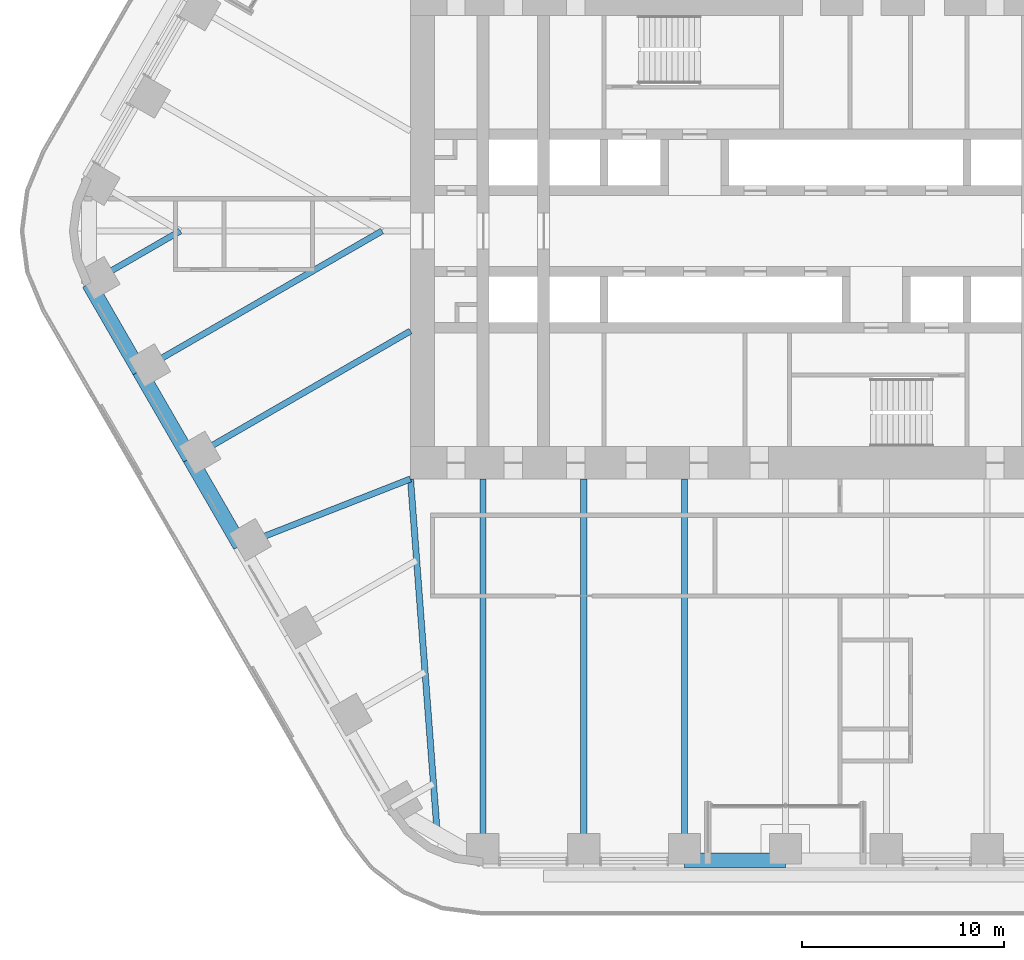
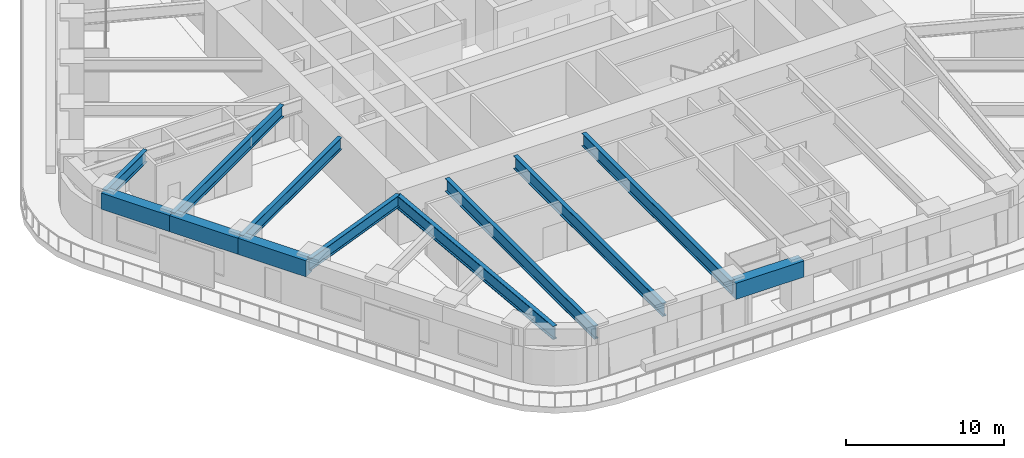
# One storey, part 3 of 24: 12 beams.
"""IFC4 building model written with IfcOpenShell, lengths in metres."""

from ifc_helpers import new_model, si_unit, direction, frame, origin, origin_2d, place, context, subcontext, project, spatial, rectangle, i_section, extrude, material, material_profile, profile_set, type_object, element, save


model = new_model("IFC4")

# Units and contexts
model_context = context("Model", 3, precision=1e-05, world=origin(), true_north=direction((0.0, 1.0)))
body_context = subcontext(model_context, "Body", "Model", "MODEL_VIEW")
ifc_project = project(units=[si_unit("LENGTHUNIT", "METRE"), si_unit("AREAUNIT", "SQUARE_METRE"), si_unit("VOLUMEUNIT", "CUBIC_METRE"), si_unit("PLANEANGLEUNIT", "RADIAN"), si_unit("MASSUNIT", "GRAM", prefix="KILO")], contexts=[model_context])

# Site, building, storey
site_placement = place(None, origin())
site = spatial("IfcSite", under=ifc_project, at=site_placement, CompositionType="ELEMENT")
building_placement = place(site_placement, origin())
building = spatial("IfcBuilding", under=site, at=building_placement, Name="Tarfa Lantern Tower", CompositionType="ELEMENT")
storey_placement = place(building_placement, frame((0.0, 0.0, 148.89990234375)))
storey = spatial("IfcBuildingStorey", under=building, at=storey_placement, Name="L33", CompositionType="ELEMENT", Elevation=148.89990234375)

# Beams
ifc_material_1 = material(Name="Concrete C80/95", Category="concrete")
ifc_material_profile_1 = material_profile(ifc_material_1, rectangle(XDim=0.75, YDim=1.25, at=origin_2d()), Name="RC 750x1250")
ifc_profile_set_1 = profile_set([ifc_material_profile_1], Name="Concrete C80/95")
beam_type_1 = type_object("IfcBeamType", Name="EB2 RC 750x1250", PredefinedType="SPANDREL", material=ifc_profile_set_1)
for number, where, z_axis, x_axis, name in (
    (1, (-34.54296875, -2.610107421875, 3.375), (0.500022324899, -0.866012514114, 0.0), (0.866012514114, 0.500022324899, 0.0), "Edge beam SW0"),
    (2, (-32.041015625, -6.943359375, 3.375), (0.500022324899, -0.866012514114, 0.0), (0.866012514114, 0.500022324899, 0.0), "Edge beam SW1"),
    (3, (-29.5390625, -11.276611328125, 3.375), (0.499964603504, -0.866045838996, 0.0), (0.866045838996, 0.499964603504, 0.0), "Edge beam SW2"),
    (4, (-5.003662109375, -31.219970703125, 3.375), (1.0, 0.0, 0.0), (0.0, 1.0, 0.0), "Edge beam S2"),
):
    element("IfcBeam", number, at=place(storey_placement, frame(where, z_axis=z_axis, x_axis=x_axis)), inside=storey, type_object=beam_type_1, Name=name, PredefinedType="SPANDREL", context=body_context, shape_type="SweptSolid", body=[
        extrude(rectangle(XDim=0.75, YDim=1.25, at=origin_2d()), origin(), (0.0, 0.0, 1.0), 5.003662109375),
    ])
ifc_material_2 = material(Name="Steel S460M", Category="steel")
ifc_material_profile_2 = material_profile(ifc_material_2, i_section(OverallWidth=0.302001953125, OverallDepth=1.008056640625, WebThickness=0.02099609375, FlangeThickness=0.0400390625, FilletRadius=0.030029296875, at=origin_2d()), Name="UB1016x305x349")
ifc_profile_set_2 = profile_set([ifc_material_profile_2], Name="Steel S460M")
beam_type_2 = type_object("IfcBeamType", Name="UB1016x305x349", PredefinedType="BEAM", material=ifc_profile_set_2)
for number, where, z_axis, x_axis, name in (
    (5, (-15.010986328125, -31.219970703125, 3.49609375), (0.0, 1.0, 0.0), (-1.0, 0.0, 0.0), "Floor beam S0"),
    (6, (-10.00732421875, -31.219970703125, 3.49609375), (0.0, 1.0, 0.0), (-1.0, 0.0, 0.0), "Floor beam S1"),
    (7, (-5.003662109375, -31.219970703125, 3.49609375), (0.0, 1.0, 0.0), (-1.0, 0.0, 0.0), "Floor beam S2"),
):
    element("IfcBeam", number, at=place(storey_placement, frame(where, z_axis=z_axis, x_axis=x_axis)), inside=storey, type_object=beam_type_2, Name=name, PredefinedType="BEAM", context=body_context, shape_type="SweptSolid", body=[
        extrude(i_section(OverallWidth=0.302001953125, OverallDepth=1.008056640625, WebThickness=0.02099609375, FlangeThickness=0.0400390625, FilletRadius=0.030029296875, at=origin_2d()), origin(), (0.0, 0.0, 1.0), 18.919921875),
    ])
ifc_material_profile_3 = material_profile(ifc_material_2, i_section(OverallWidth=0.30859375, OverallDepth=1.036376953125, WebThickness=0.030029296875, FlangeThickness=0.05419921875, FilletRadius=0.030029296875, at=origin_2d()), Name="UB1016x305x487")
ifc_profile_set_3 = profile_set([ifc_material_profile_3], Name="Steel S460M")
beam_type_3 = type_object("IfcBeamType", Name="UB1016x305x487", PredefinedType="BEAM", material=ifc_profile_set_3)
beam_1_placement = place(storey_placement, frame((-18.60009765625, -12.300048828125, 3.48193359375), z_axis=(0.075211516041, -0.99716760269, 0.0), x_axis=(0.99716760269, 0.075211516041, 0.0)))
element("IfcBeam", 8, at=beam_1_placement, inside=storey, type_object=beam_type_3, Name="Hip girder SW", PredefinedType="BEAM", context=body_context, shape_type="SweptSolid", body=[
    extrude(i_section(OverallWidth=0.30859375, OverallDepth=1.036376953125, WebThickness=0.030029296875, FlangeThickness=0.05419921875, FilletRadius=0.030029296875, at=origin_2d()), origin(), (0.0, 0.0, 1.0), 17.6650390625),
])
ifc_material_profile_4 = material_profile(ifc_material_2, i_section(OverallWidth=0.305419921875, OverallDepth=0.91845703125, WebThickness=0.017333984375, FlangeThickness=0.02783203125, FilletRadius=0.01904296875, at=origin_2d()), Name="UB914x305x253")
ifc_profile_set_4 = profile_set([ifc_material_profile_4], Name="Steel S460M")
beam_type_4 = type_object("IfcBeamType", Name="UB914x305x253", PredefinedType="BEAM", material=ifc_profile_set_4)
beam_2_placement = place(storey_placement, frame((-34.54296875, -2.610107421875, 3.541015625), z_axis=(0.866021250859, 0.500007193008, 0.0), x_axis=(-0.500007193008, 0.866021250859, 0.0)))
element("IfcBeam", 9, at=beam_2_placement, inside=storey, type_object=beam_type_4, Name="Floor beam SW0", PredefinedType="BEAM", context=body_context, shape_type="SweptSolid", body=[
    extrude(i_section(OverallWidth=0.305419921875, OverallDepth=0.91845703125, WebThickness=0.017333984375, FlangeThickness=0.02783203125, FilletRadius=0.01904296875, at=origin_2d()), origin(), (0.0, 0.0, 1.0), 5.22021484375),
])
beam_3_placement = place(storey_placement, frame((-32.041015625, -6.943359375, 3.541015625), z_axis=(0.866023096411, 0.500003996466, 0.0), x_axis=(-0.500003996466, 0.866023096411, 0.0)))
element("IfcBeam", 10, at=beam_3_placement, inside=storey, type_object=beam_type_4, Name="Floor beam SW1", PredefinedType="BEAM", context=body_context, shape_type="SweptSolid", body=[
    extrude(i_section(OverallWidth=0.305419921875, OverallDepth=0.91845703125, WebThickness=0.017333984375, FlangeThickness=0.02783203125, FilletRadius=0.01904296875, at=origin_2d()), origin(), (0.0, 0.0, 1.0), 13.88671875),
])
beam_4_placement = place(storey_placement, frame((-29.5390625, -11.276611328125, 3.541015625), z_axis=(0.866023362995, 0.500003534735, 0.0), x_axis=(-0.500003534735, 0.866023362995, 0.0)))
element("IfcBeam", 11, at=beam_4_placement, inside=storey, type_object=beam_type_4, Name="Floor beam SW2", PredefinedType="BEAM", context=body_context, shape_type="SweptSolid", body=[
    extrude(i_section(OverallWidth=0.305419921875, OverallDepth=0.91845703125, WebThickness=0.017333984375, FlangeThickness=0.02783203125, FilletRadius=0.01904296875, at=origin_2d()), origin(), (0.0, 0.0, 1.0), 12.63134765625),
])
beam_5_placement = place(storey_placement, frame((-27.037353515625, -15.610107421875, 3.541015625), z_axis=(0.930923282782, 0.365214788274, 0.0), x_axis=(-0.365214788274, 0.930923282782, 0.0)))
element("IfcBeam", 12, at=beam_5_placement, inside=storey, type_object=beam_type_4, Name="Floor beam SW3", PredefinedType="BEAM", context=body_context, shape_type="SweptSolid", body=[
    extrude(i_section(OverallWidth=0.305419921875, OverallDepth=0.91845703125, WebThickness=0.017333984375, FlangeThickness=0.02783203125, FilletRadius=0.01904296875, at=origin_2d()), origin(), (0.0, 0.0, 1.0), 9.063232421875),
])

save(model, "model.ifc")
